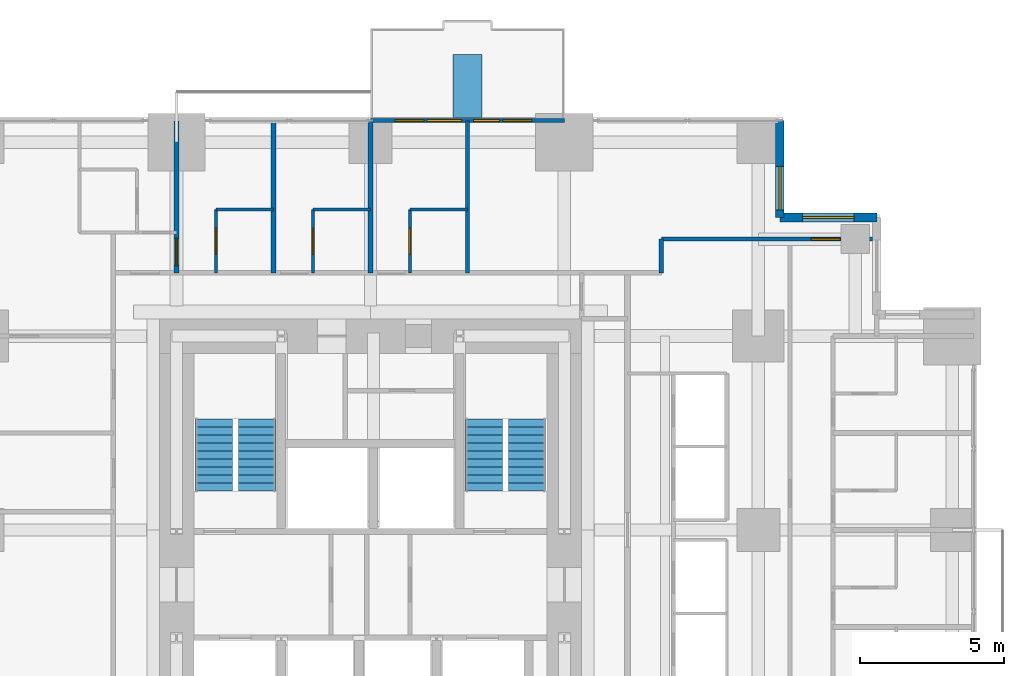
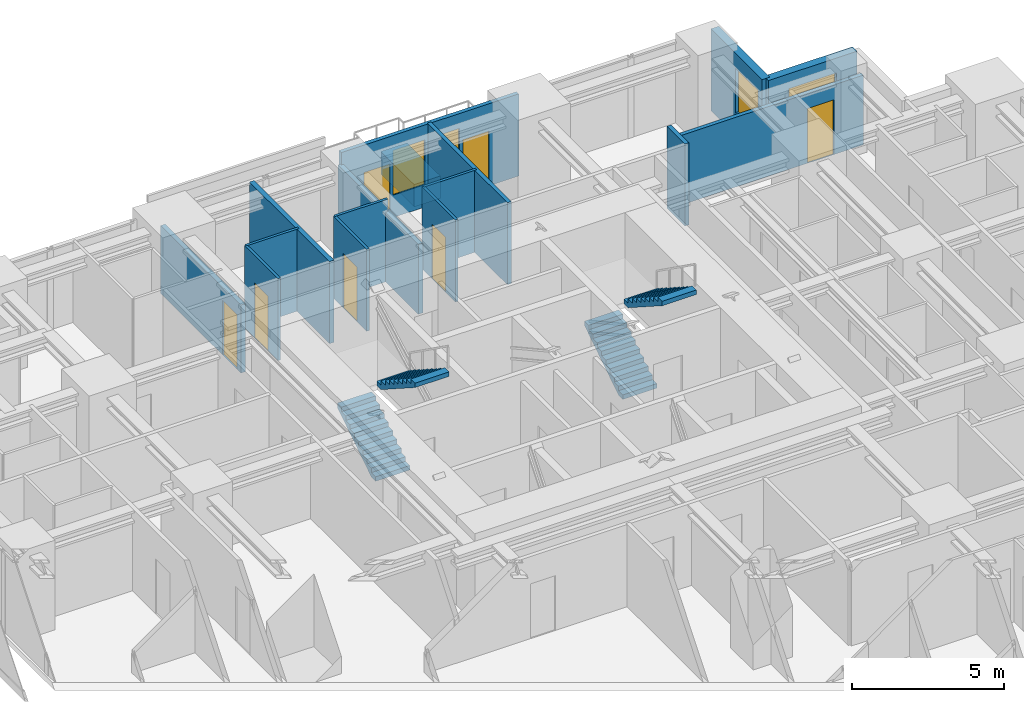
# One storey, part 11 of 12: 16 walls, 7 doors, 4 stair flights, 4 windows, 11 openings, 2 elements without a shape of their own.
"""IFC4 building model written with IfcOpenShell, lengths in metres."""

from ifc_helpers import new_model, si_unit, direction, frame, frame_2d, origin, place, context, subcontext, project, spatial, polyline, rectangle, outline, extrude, material, layer, layer_set, type_object, element, fill, aggregate, save


model = new_model("IFC4")

# Units and contexts
model_context = context("Model", 3, precision=1e-05, world=origin(), true_north=direction((0.0, 1.0)))
body_context = subcontext(model_context, "Body", "Model", "MODEL_VIEW")
ifc_project = project(units=[si_unit("LENGTHUNIT", "METRE"), si_unit("AREAUNIT", "SQUARE_METRE"), si_unit("VOLUMEUNIT", "CUBIC_METRE"), si_unit("PLANEANGLEUNIT", "RADIAN"), si_unit("MASSUNIT", "GRAM", prefix="KILO")], contexts=[model_context])

# Site, building, storey
site_placement = place(None, origin())
site = spatial("IfcSite", under=ifc_project, at=site_placement, CompositionType="ELEMENT")
building_placement = place(site_placement, origin())
building = spatial("IfcBuilding", under=site, at=building_placement, Name="Nyansa Garden Tower", CompositionType="ELEMENT")
storey_placement = place(building_placement, frame((0.0, 0.0, 134.10009765625)))
storey = spatial("IfcBuildingStorey", under=building, at=storey_placement, Name="L36", CompositionType="ELEMENT", Elevation=134.10009765625)

# Wall, opening, door
ifc_material_1 = material(Name="Dense blockwork, plastered both sides, 55 dB", Category="masonry")
ifc_layer_1 = layer(ifc_material_1, 0.175048828125)
ifc_layer_set_1 = layer_set([ifc_layer_1], Name="Acoustic party wall PW175")
wall_type_1 = type_object("IfcWallType", Name="Acoustic party wall PW175", PredefinedType="PARTITIONING", material=ifc_layer_set_1)
wall_1_placement = place(storey_placement, frame((13.5, 29.199951171875, 0.0), z_axis=(0.0, 0.0, 1.0), x_axis=(0.0, 1.0, 0.0)))
wall_1 = element("IfcWall", 1, at=wall_1_placement, inside=storey, type_object=wall_type_1, Name="Party wall", PredefinedType="PARTITIONING", context=body_context, shape_type="SweptSolid", body=[
    extrude(rectangle(XDim=5.283935546875, YDim=0.175048828125, at=frame_2d((2.64208984375, 0.0))), origin(), (0.0, 0.0, 1.0), 2.73095703125),
])
opening_1_placement = place(wall_1_placement, frame((0.25, 0.0, 0.0)))
opening_1 = element("IfcOpeningElement", 2, at=opening_1_placement, cuts=wall_1, Name="Opening D14", PredefinedType="OPENING", context=body_context, shape_type="SweptSolid", body=[
    extrude(rectangle(XDim=0.949951171875, YDim=2.199951171875, at=frame_2d((0.47509765625, 1.10009765625))), frame((0.0, 0.097412109375, 0.0), z_axis=(0.0, -1.0, 0.0), x_axis=(1.0, 0.0, 0.0)), (0.0, 0.0, 1.0), 0.195068359375),
])
ifc_material_2 = material(Name="Timber flush door, 60 minute fire resisting, self-closing", Category="wood")
door_type_1 = type_object("IfcDoorType", Name="Studio entrance door D14 950x2200", OperationType="SINGLE_SWING_LEFT", PredefinedType="DOOR", material=ifc_material_2)
door_1_placement = place(opening_1_placement, origin())
door_1 = element("IfcDoor", 3, at=door_1_placement, inside=storey, type_object=door_type_1, Name="Door L36-047", OperationType="SINGLE_SWING_LEFT", OverallHeight=2.199951171875, OverallWidth=0.949951171875, PredefinedType="DOOR", context=body_context, shape_type="SweptSolid", body=[
    extrude(rectangle(XDim=0.949951171875, YDim=2.199951171875, at=frame_2d((0.47509765625, 1.10009765625))), frame((0.0, 0.02490234375, 0.0), z_axis=(0.0, -1.0, 0.0), x_axis=(1.0, 0.0, 0.0)), (0.0, 0.0, 1.0), 0.050048828125),
])
fill(opening_1, door_1)

# Walls
wall_2_placement = place(storey_placement, frame((16.875, 29.199951171875, 0.0), z_axis=(0.0, 0.0, 1.0), x_axis=(0.0, 1.0, 0.0)))
element("IfcWall", 4, at=wall_2_placement, inside=storey, type_object=wall_type_1, Name="Party wall", PredefinedType="PARTITIONING", context=body_context, shape_type="SweptSolid", body=[
    extrude(rectangle(XDim=5.283935546875, YDim=0.175048828125, at=frame_2d((2.64208984375, 0.0))), origin(), (0.0, 0.0, 1.0), 3.2998046875),
])
wall_3_placement = place(storey_placement, frame((20.25, 29.199951171875, 0.0), z_axis=(0.0, 0.0, 1.0), x_axis=(0.0, 1.0, 0.0)))
element("IfcWall", 5, at=wall_3_placement, inside=storey, type_object=wall_type_1, Name="Party wall", PredefinedType="PARTITIONING", context=body_context, shape_type="SweptSolid", body=[
    extrude(rectangle(XDim=5.283935546875, YDim=0.175048828125, at=frame_2d((2.64208984375, 0.0))), origin(), (0.0, 0.0, 1.0), 2.802001953125),
])

# Wall, openings, doors, windows
ifc_material_3 = material(Name="Black aluminium framed glazed screen", Category="aluminium")
ifc_layer_2 = layer(ifc_material_3, 0.14990234375)
ifc_layer_set_2 = layer_set([ifc_layer_2], Name="Balcony screen wall BW150")
wall_type_2 = type_object("IfcWallType", Name="Balcony screen wall BW150", PredefinedType="SOLIDWALL", material=ifc_layer_set_2)
wall_4_placement = place(storey_placement, frame((20.25, 34.5, 0.0), z_axis=(0.0, 0.0, 1.0), x_axis=(1.0, 0.0, 0.0)))
wall_4 = element("IfcWall", 6, at=wall_4_placement, inside=storey, type_object=wall_type_2, Name="Glazed screen wall L36 N", PredefinedType="SOLIDWALL", context=body_context, shape_type="SweptSolid", body=[
    extrude(rectangle(XDim=6.75, YDim=0.14990234375, at=frame_2d((3.375, 0.0))), origin(), (0.0, 0.0, 1.0), 3.2998046875),
])
opening_2_placement = place(wall_4_placement, frame((0.862548828125, 0.0, 0.0)))
opening_2 = element("IfcOpeningElement", 7, at=opening_2_placement, cuts=wall_4, Name="Opening D20", PredefinedType="OPENING", context=body_context, shape_type="SweptSolid", body=[
    extrude(rectangle(XDim=1.0, YDim=2.199951171875, at=frame_2d((0.5, 1.10009765625))), frame((0.0, 0.0849609375, 0.0), z_axis=(0.0, -1.0, 0.0), x_axis=(1.0, 0.0, 0.0)), (0.0, 0.0, 1.0), 0.169921875),
])
opening_3_placement = place(wall_4_placement, frame((1.97509765625, 0.0, 0.89990234375)))
opening_3 = element("IfcOpeningElement", 8, at=opening_3_placement, cuts=wall_4, Name="Opening W6", PredefinedType="OPENING", context=body_context, shape_type="SweptSolid", body=[
    extrude(rectangle(XDim=1.199951171875, YDim=1.800048828125, at=frame_2d((0.60009765625, 0.89990234375))), frame((0.0, 0.0849609375, 0.0), z_axis=(0.0, -1.0, 0.0), x_axis=(1.0, 0.0, 0.0)), (0.0, 0.0, 1.0), 0.169921875),
])
opening_4_placement = place(wall_4_placement, frame((4.620849609375, 0.0, 0.0)))
opening_4 = element("IfcOpeningElement", 9, at=opening_4_placement, cuts=wall_4, Name="Opening D20", PredefinedType="OPENING", context=body_context, shape_type="SweptSolid", body=[
    extrude(rectangle(XDim=1.0, YDim=2.199951171875, at=frame_2d((0.5, 1.10009765625))), frame((0.0, 0.0849609375, 0.0), z_axis=(0.0, -1.0, 0.0), x_axis=(1.0, 0.0, 0.0)), (0.0, 0.0, 1.0), 0.169921875),
])
opening_5_placement = place(wall_4_placement, frame((3.591552734375, 0.0, 0.89990234375)))
opening_5 = element("IfcOpeningElement", 10, at=opening_5_placement, cuts=wall_4, Name="Opening W7", PredefinedType="OPENING", context=body_context, shape_type="SweptSolid", body=[
    extrude(rectangle(XDim=0.89990234375, YDim=1.800048828125, at=frame_2d((0.449951171875, 0.89990234375))), frame((0.0, 0.0849609375, 0.0), z_axis=(0.0, -1.0, 0.0), x_axis=(1.0, 0.0, 0.0)), (0.0, 0.0, 1.0), 0.169921875),
])
ifc_material_4 = material(Name="Black aluminium framed glazed door", Category="aluminium")
door_type_2 = type_object("IfcDoorType", Name="Balcony door D20 1000x2200", OperationType="NOTDEFINED", PredefinedType="DOOR", material=ifc_material_4)
door_2_placement = place(opening_2_placement, origin())
door_2 = element("IfcDoor", 11, at=door_2_placement, inside=storey, type_object=door_type_2, Name="Balcony door L36", OperationType="SINGLE_SWING_LEFT", OverallHeight=2.199951171875, OverallWidth=1.0, PredefinedType="DOOR", context=body_context, shape_type="SweptSolid", body=[
    extrude(rectangle(XDim=1.0, YDim=2.199951171875, at=frame_2d((0.5, 1.10009765625))), frame((0.0, 0.02490234375, 0.0), z_axis=(0.0, -1.0, 0.0), x_axis=(1.0, 0.0, 0.0)), (0.0, 0.0, 1.0), 0.050048828125),
])
fill(opening_2, door_2)
door_3_placement = place(opening_4_placement, origin())
door_3 = element("IfcDoor", 12, at=door_3_placement, inside=storey, type_object=door_type_2, Name="Balcony door L36", OperationType="SINGLE_SWING_RIGHT", OverallHeight=2.199951171875, OverallWidth=1.0, PredefinedType="DOOR", context=body_context, shape_type="SweptSolid", body=[
    extrude(rectangle(XDim=1.0, YDim=2.199951171875, at=frame_2d((0.5, 1.10009765625))), frame((0.0, 0.02490234375, 0.0), z_axis=(0.0, -1.0, 0.0), x_axis=(1.0, 0.0, 0.0)), (0.0, 0.0, 1.0), 0.050048828125),
])
fill(opening_4, door_3)
ifc_material_5 = material(Name="Black aluminium frame, dark tinted double glazing", Category="aluminium")
window_type_1 = type_object("IfcWindowType", Name="Balcony window W6 1200x1800", PartitioningType="SINGLE_PANEL", PredefinedType="WINDOW", material=ifc_material_5)
window_1_placement = place(opening_3_placement, origin())
window_1 = element("IfcWindow", 13, at=window_1_placement, inside=storey, type_object=window_type_1, Name="Window L36", OverallHeight=1.800048828125, OverallWidth=1.199951171875, PartitioningType="SINGLE_PANEL", PredefinedType="WINDOW", context=body_context, shape_type="SweptSolid", body=[
    extrude(rectangle(XDim=1.199951171875, YDim=1.800048828125, at=frame_2d((0.60009765625, 0.89990234375))), frame((0.0, 0.030029296875, 0.0), z_axis=(0.0, -1.0, 0.0), x_axis=(1.0, 0.0, 0.0)), (0.0, 0.0, 1.0), 0.06005859375),
])
fill(opening_3, window_1)
ifc_material_6 = material(Name="Black aluminium frame, dark tinted double glazing", Category="aluminium")
window_type_2 = type_object("IfcWindowType", Name="Balcony window W7 900x1800", PartitioningType="SINGLE_PANEL", PredefinedType="WINDOW", material=ifc_material_6)
window_2_placement = place(opening_5_placement, origin())
window_2 = element("IfcWindow", 14, at=window_2_placement, inside=storey, type_object=window_type_2, Name="Window L36", OverallHeight=1.800048828125, OverallWidth=0.89990234375, PartitioningType="SINGLE_PANEL", PredefinedType="WINDOW", context=body_context, shape_type="SweptSolid", body=[
    extrude(rectangle(XDim=0.89990234375, YDim=1.800048828125, at=frame_2d((0.449951171875, 0.89990234375))), frame((0.0, 0.030029296875, 0.0), z_axis=(0.0, -1.0, 0.0), x_axis=(1.0, 0.0, 0.0)), (0.0, 0.0, 1.0), 0.06005859375),
])
fill(opening_5, window_2)

# Walls
ifc_material_7 = material(Name="Blockwork, plastered both sides", Category="masonry")
ifc_layer_3 = layer(ifc_material_7, 0.14990234375)
ifc_layer_set_3 = layer_set([ifc_layer_3], Name="Partition PW150")
wall_type_3 = type_object("IfcWallType", Name="Partition PW150", PredefinedType="PARTITIONING", material=ifc_layer_set_3)
wall_5_placement = place(storey_placement, frame((23.625, 29.199951171875, 0.0), z_axis=(0.0, 0.0, 1.0), x_axis=(0.0, 1.0, 0.0)))
element("IfcWall", 15, at=wall_5_placement, inside=storey, type_object=wall_type_3, Name="Partition", PredefinedType="PARTITIONING", context=body_context, shape_type="SweptSolid", body=[
    extrude(rectangle(XDim=5.283935546875, YDim=0.14990234375, at=frame_2d((2.64208984375, 0.0))), origin(), (0.0, 0.0, 1.0), 3.2998046875),
])
wall_6_placement = place(storey_placement, frame((30.375, 29.199951171875, 0.0), z_axis=(0.0, 0.0, 1.0), x_axis=(0.0, 1.0, 0.0)))
element("IfcWall", 16, at=wall_6_placement, inside=storey, type_object=wall_type_3, Name="Partition", PredefinedType="PARTITIONING", context=body_context, shape_type="SweptSolid", body=[
    extrude(rectangle(XDim=1.175048828125, YDim=0.14990234375, at=frame_2d((0.58740234375, 0.0))), origin(), (0.0, 0.0, 1.0), 3.2998046875),
])

# Wall, opening, door
wall_7_placement = place(storey_placement, frame((30.375, 30.375, 0.0), z_axis=(0.0, 0.0, 1.0), x_axis=(1.0, 0.0, 0.0)))
wall_7 = element("IfcWall", 17, at=wall_7_placement, inside=storey, type_object=wall_type_3, Name="Partition", PredefinedType="PARTITIONING", context=body_context, shape_type="SweptSolid", body=[
    extrude(rectangle(XDim=7.35009765625, YDim=0.14990234375, at=frame_2d((3.675048828125, 0.0))), origin(), (0.0, 0.0, 1.0), 2.802001953125),
])
opening_6_placement = place(wall_7_placement, frame((5.22509765625, 0.0, 0.0)))
opening_6 = element("IfcOpeningElement", 18, at=opening_6_placement, cuts=wall_7, Name="Opening D03", PredefinedType="OPENING", context=body_context, shape_type="SweptSolid", body=[
    extrude(rectangle(XDim=1.0, YDim=2.199951171875, at=frame_2d((0.5, 1.10009765625))), frame((0.0, 0.0849609375, 0.0), z_axis=(0.0, -1.0, 0.0), x_axis=(1.0, 0.0, 0.0)), (0.0, 0.0, 1.0), 0.169921875),
])
ifc_material_8 = material(Name="Timber flush door, 60 minute fire resisting", Category="wood")
door_type_3 = type_object("IfcDoorType", Name="Cluster entrance door D03 1000x2200", OperationType="SINGLE_SWING_LEFT", PredefinedType="DOOR", material=ifc_material_8)
door_4_placement = place(opening_6_placement, origin())
door_4 = element("IfcDoor", 19, at=door_4_placement, inside=storey, type_object=door_type_3, Name="Door L36-044", OperationType="SINGLE_SWING_LEFT", OverallHeight=2.199951171875, OverallWidth=1.0, PredefinedType="DOOR", context=body_context, shape_type="SweptSolid", body=[
    extrude(rectangle(XDim=1.0, YDim=2.199951171875, at=frame_2d((0.5, 1.10009765625))), frame((0.0, 0.02490234375, 0.0), z_axis=(0.0, -1.0, 0.0), x_axis=(1.0, 0.0, 0.0)), (0.0, 0.0, 1.0), 0.050048828125),
])
fill(opening_6, door_4)

# Wall, opening, window
ifc_material_9 = material(Name="Turquoise glazed tile on concrete blockwork", Category="masonry")
ifc_layer_4 = layer(ifc_material_9, 0.300048828125)
ifc_layer_set_4 = layer_set([ifc_layer_4], Name="Tiled corner wall TW300")
wall_type_4 = type_object("IfcWallType", Name="Tiled corner wall TW300", PredefinedType="SOLIDWALL", material=ifc_layer_set_4)
wall_8_placement = place(storey_placement, frame((37.875, 31.125, 0.0), z_axis=(0.0, 0.0, 1.0), x_axis=(-1.0, 0.0, 0.0)))
wall_8 = element("IfcWall", 20, at=wall_8_placement, inside=storey, type_object=wall_type_4, Name="Tiled corner wall L36", PredefinedType="SOLIDWALL", context=body_context, shape_type="SweptSolid", body=[
    extrude(rectangle(XDim=3.375, YDim=0.300048828125, at=frame_2d((1.6875, 0.0))), origin(), (0.0, 0.0, 1.0), 3.2998046875),
])
opening_7_placement = place(wall_8_placement, frame((0.78759765625, 0.0, 0.60009765625)))
opening_7 = element("IfcOpeningElement", 21, at=opening_7_placement, cuts=wall_8, Name="Opening W2", PredefinedType="OPENING", context=body_context, shape_type="SweptSolid", body=[
    extrude(rectangle(XDim=1.800048828125, YDim=2.10009765625, at=frame_2d((0.89990234375, 1.050048828125))), frame((0.0, 0.159912109375, 0.0), z_axis=(0.0, -1.0, 0.0), x_axis=(1.0, 0.0, 0.0)), (0.0, 0.0, 1.0), 0.320068359375),
])
ifc_material_10 = material(Name="Black aluminium frame, dark tinted double glazing", Category="aluminium")
window_type_3 = type_object("IfcWindowType", Name="Window W2 1800x2100", PartitioningType="SINGLE_PANEL", PredefinedType="WINDOW", material=ifc_material_10)
window_3_placement = place(opening_7_placement, origin())
window_3 = element("IfcWindow", 22, at=window_3_placement, inside=storey, type_object=window_type_3, Name="Corner window L36", OverallHeight=2.10009765625, OverallWidth=1.800048828125, PartitioningType="SINGLE_PANEL", PredefinedType="WINDOW", context=body_context, shape_type="SweptSolid", body=[
    extrude(rectangle(XDim=1.800048828125, YDim=2.10009765625, at=frame_2d((0.89990234375, 1.050048828125))), frame((0.0, 0.030029296875, 0.0), z_axis=(0.0, -1.0, 0.0), x_axis=(1.0, 0.0, 0.0)), (0.0, 0.0, 1.0), 0.06005859375),
])
fill(opening_7, window_3)

wall_9_placement = place(storey_placement, frame((34.5, 31.125, 0.0), z_axis=(0.0, 0.0, 1.0), x_axis=(0.0, 1.0, 0.0)))
wall_9 = element("IfcWall", 23, at=wall_9_placement, inside=storey, type_object=wall_type_4, Name="Tiled corner wall L36", PredefinedType="SOLIDWALL", context=body_context, shape_type="SweptSolid", body=[
    extrude(rectangle(XDim=3.375, YDim=0.300048828125, at=frame_2d((1.6875, 0.0))), origin(), (0.0, 0.0, 1.0), 3.2998046875),
])
opening_8_placement = place(wall_9_placement, frame((0.267578125, 0.0, 0.89990234375)))
opening_8 = element("IfcOpeningElement", 24, at=opening_8_placement, cuts=wall_9, Name="Opening W1", PredefinedType="OPENING", context=body_context, shape_type="SweptSolid", body=[
    extrude(rectangle(XDim=1.5, YDim=1.800048828125, at=frame_2d((0.75, 0.89990234375))), frame((0.0, 0.159912109375, 0.0), z_axis=(0.0, -1.0, 0.0), x_axis=(1.0, 0.0, 0.0)), (0.0, 0.0, 1.0), 0.320068359375),
])
ifc_material_11 = material(Name="Black aluminium frame, dark tinted double glazing", Category="aluminium")
window_type_4 = type_object("IfcWindowType", Name="Window W1 1500x1800", PartitioningType="SINGLE_PANEL", PredefinedType="WINDOW", material=ifc_material_11)
window_4_placement = place(opening_8_placement, origin())
window_4 = element("IfcWindow", 25, at=window_4_placement, inside=storey, type_object=window_type_4, Name="Corner window L36", OverallHeight=1.800048828125, OverallWidth=1.5, PartitioningType="SINGLE_PANEL", PredefinedType="WINDOW", context=body_context, shape_type="SweptSolid", body=[
    extrude(rectangle(XDim=1.5, YDim=1.800048828125, at=frame_2d((0.75, 0.89990234375))), frame((0.0, 0.030029296875, 0.0), z_axis=(0.0, -1.0, 0.0), x_axis=(1.0, 0.0, 0.0)), (0.0, 0.0, 1.0), 0.06005859375),
])
fill(opening_8, window_4)

# Wall
ifc_material_12 = material(Name="Concrete C40/50 planter, waterproofed", Category="concrete")
ifc_layer_5 = layer(ifc_material_12, 1.0)
ifc_layer_set_5 = layer_set([ifc_layer_5], Name="Tree planter TP1")
wall_type_5 = type_object("IfcWallType", Name="Tree planter TP1", PredefinedType="USERDEFINED", material=ifc_layer_set_5)
wall_10_placement = place(storey_placement, frame((23.625, 34.60009765625, 0.0), z_axis=(0.0, 0.0, 1.0), x_axis=(0.0, 1.0, 0.0)))
element("IfcWall", 26, at=wall_10_placement, inside=storey, type_object=wall_type_5, Name="Tree planter L36", ObjectType="TREE PLANTER", PredefinedType="USERDEFINED", context=body_context, shape_type="SweptSolid", body=[
    extrude(rectangle(XDim=2.199951171875, YDim=1.0, at=frame_2d((1.10009765625, 0.0))), origin(), (0.0, 0.0, 1.0), 0.89990234375),
])

# Wall, opening, door
ifc_material_13 = material(Name="Moisture resistant board on steel studs, tiled", Category="steel")
ifc_layer_6 = layer(ifc_material_13, 0.10009765625)
ifc_layer_set_6 = layer_set([ifc_layer_6], Name="Wet wall PW100")
wall_type_6 = type_object("IfcWallType", Name="Wet wall PW100", PredefinedType="PARTITIONING", material=ifc_layer_set_6)
wall_11_placement = place(storey_placement, frame((14.875, 29.199951171875, 0.0), z_axis=(0.0, 0.0, 1.0), x_axis=(0.0, 1.0, 0.0)))
wall_11 = element("IfcWall", 27, at=wall_11_placement, inside=storey, type_object=wall_type_6, Name="Wet wall", PredefinedType="PARTITIONING", context=body_context, shape_type="SweptSolid", body=[
    extrude(rectangle(XDim=2.199951171875, YDim=0.10009765625, at=frame_2d((1.10009765625, 0.0))), origin(), (0.0, 0.0, 1.0), 3.2998046875),
])
opening_9_placement = place(wall_11_placement, frame((0.64990234375, 0.0, 0.0)))
opening_9 = element("IfcOpeningElement", 28, at=opening_9_placement, cuts=wall_11, Name="Opening D02", PredefinedType="OPENING", context=body_context, shape_type="SweptSolid", body=[
    extrude(rectangle(XDim=0.89990234375, YDim=2.199951171875, at=frame_2d((0.449951171875, 1.10009765625))), frame((0.0, 0.06005859375, 0.0), z_axis=(0.0, -1.0, 0.0), x_axis=(1.0, 0.0, 0.0)), (0.0, 0.0, 1.0), 0.1201171875),
])
ifc_material_14 = material(Name="Timber flush door", Category="wood")
door_type_4 = type_object("IfcDoorType", Name="En-suite door D02 900x2200", OperationType="SINGLE_SWING_RIGHT", PredefinedType="DOOR", material=ifc_material_14)
door_5_placement = place(opening_9_placement, origin())
door_5 = element("IfcDoor", 29, at=door_5_placement, inside=storey, type_object=door_type_4, Name="Door L36-048", OperationType="SINGLE_SWING_RIGHT", OverallHeight=2.199951171875, OverallWidth=0.89990234375, PredefinedType="DOOR", context=body_context, shape_type="SweptSolid", body=[
    extrude(rectangle(XDim=0.89990234375, YDim=2.199951171875, at=frame_2d((0.449951171875, 1.10009765625))), frame((0.0, 0.02490234375, 0.0), z_axis=(0.0, -1.0, 0.0), x_axis=(1.0, 0.0, 0.0)), (0.0, 0.0, 1.0), 0.050048828125),
])
fill(opening_9, door_5)

# Wall
wall_12_placement = place(storey_placement, frame((14.875, 31.39990234375, 0.0), z_axis=(0.0, 0.0, 1.0), x_axis=(1.0, 0.0, 0.0)))
element("IfcWall", 30, at=wall_12_placement, inside=storey, type_object=wall_type_6, Name="Wet wall", PredefinedType="PARTITIONING", context=body_context, shape_type="SweptSolid", body=[
    extrude(rectangle(XDim=2.0, YDim=0.10009765625, at=frame_2d((1.0, 0.0))), origin(), (0.0, 0.0, 1.0), 3.2998046875),
])

# Wall, opening, door
wall_13_placement = place(storey_placement, frame((18.25, 29.199951171875, 0.0), z_axis=(0.0, 0.0, 1.0), x_axis=(0.0, 1.0, 0.0)))
wall_13 = element("IfcWall", 31, at=wall_13_placement, inside=storey, type_object=wall_type_6, Name="Wet wall", PredefinedType="PARTITIONING", context=body_context, shape_type="SweptSolid", body=[
    extrude(rectangle(XDim=2.199951171875, YDim=0.10009765625, at=frame_2d((1.10009765625, 0.0))), origin(), (0.0, 0.0, 1.0), 3.2998046875),
])
opening_10_placement = place(wall_13_placement, frame((0.64990234375, 0.0, 0.0)))
opening_10 = element("IfcOpeningElement", 32, at=opening_10_placement, cuts=wall_13, Name="Opening D02", PredefinedType="OPENING", context=body_context, shape_type="SweptSolid", body=[
    extrude(rectangle(XDim=0.89990234375, YDim=2.199951171875, at=frame_2d((0.449951171875, 1.10009765625))), frame((0.0, 0.06005859375, 0.0), z_axis=(0.0, -1.0, 0.0), x_axis=(1.0, 0.0, 0.0)), (0.0, 0.0, 1.0), 0.1201171875),
])
door_6_placement = place(opening_10_placement, origin())
door_6 = element("IfcDoor", 33, at=door_6_placement, inside=storey, type_object=door_type_4, Name="Door L36-050", OperationType="SINGLE_SWING_RIGHT", OverallHeight=2.199951171875, OverallWidth=0.89990234375, PredefinedType="DOOR", context=body_context, shape_type="SweptSolid", body=[
    extrude(rectangle(XDim=0.89990234375, YDim=2.199951171875, at=frame_2d((0.449951171875, 1.10009765625))), frame((0.0, 0.02490234375, 0.0), z_axis=(0.0, -1.0, 0.0), x_axis=(1.0, 0.0, 0.0)), (0.0, 0.0, 1.0), 0.050048828125),
])
fill(opening_10, door_6)

# Wall
wall_14_placement = place(storey_placement, frame((18.25, 31.39990234375, 0.0), z_axis=(0.0, 0.0, 1.0), x_axis=(1.0, 0.0, 0.0)))
element("IfcWall", 34, at=wall_14_placement, inside=storey, type_object=wall_type_6, Name="Wet wall", PredefinedType="PARTITIONING", context=body_context, shape_type="SweptSolid", body=[
    extrude(rectangle(XDim=2.0, YDim=0.10009765625, at=frame_2d((1.0, 0.0))), origin(), (0.0, 0.0, 1.0), 3.2998046875),
])

# Wall, opening, door
wall_15_placement = place(storey_placement, frame((21.625, 29.199951171875, 0.0), z_axis=(0.0, 0.0, 1.0), x_axis=(0.0, 1.0, 0.0)))
wall_15 = element("IfcWall", 35, at=wall_15_placement, inside=storey, type_object=wall_type_6, Name="Wet wall", PredefinedType="PARTITIONING", context=body_context, shape_type="SweptSolid", body=[
    extrude(rectangle(XDim=2.199951171875, YDim=0.10009765625, at=frame_2d((1.10009765625, 0.0))), origin(), (0.0, 0.0, 1.0), 3.2998046875),
])
opening_11_placement = place(wall_15_placement, frame((0.64990234375, 0.0, 0.0)))
opening_11 = element("IfcOpeningElement", 36, at=opening_11_placement, cuts=wall_15, Name="Opening D02", PredefinedType="OPENING", context=body_context, shape_type="SweptSolid", body=[
    extrude(rectangle(XDim=0.89990234375, YDim=2.199951171875, at=frame_2d((0.449951171875, 1.10009765625))), frame((0.0, 0.06005859375, 0.0), z_axis=(0.0, -1.0, 0.0), x_axis=(1.0, 0.0, 0.0)), (0.0, 0.0, 1.0), 0.1201171875),
])
door_7_placement = place(opening_11_placement, origin())
door_7 = element("IfcDoor", 37, at=door_7_placement, inside=storey, type_object=door_type_4, Name="Door L36-052", OperationType="SINGLE_SWING_RIGHT", OverallHeight=2.199951171875, OverallWidth=0.89990234375, PredefinedType="DOOR", context=body_context, shape_type="SweptSolid", body=[
    extrude(rectangle(XDim=0.89990234375, YDim=2.199951171875, at=frame_2d((0.449951171875, 1.10009765625))), frame((0.0, 0.02490234375, 0.0), z_axis=(0.0, -1.0, 0.0), x_axis=(1.0, 0.0, 0.0)), (0.0, 0.0, 1.0), 0.050048828125),
])
fill(opening_11, door_7)

# Wall
wall_16_placement = place(storey_placement, frame((21.625, 31.39990234375, 0.0), z_axis=(0.0, 0.0, 1.0), x_axis=(1.0, 0.0, 0.0)))
element("IfcWall", 38, at=wall_16_placement, inside=storey, type_object=wall_type_6, Name="Wet wall", PredefinedType="PARTITIONING", context=body_context, shape_type="SweptSolid", body=[
    extrude(rectangle(XDim=2.0, YDim=0.10009765625, at=frame_2d((1.0, 0.0))), origin(), (0.0, 0.0, 1.0), 3.2998046875),
])

# Stair, stair flights
ifc_material_15 = material(Name="Precast concrete C40/50", Category="concrete")
stair_type_1 = type_object("IfcStairType", Name="Stair S1 180x280", PredefinedType="HALF_TURN_STAIR", material=ifc_material_15)
stair_1_placement = place(storey_placement, origin())
stair_1 = element("IfcStair", 39, at=stair_1_placement, inside=storey, type_object=stair_type_1, Name="Stair S1 L36", PredefinedType="HALF_TURN_STAIR")
ifc_material_16 = material(Name="Precast concrete C40/50", Category="concrete")
stair_flight_type_1 = type_object("IfcStairFlightType", Name="Stair flight S1 180x280x10", PredefinedType="STRAIGHT", material=ifc_material_16)
stair_flight_1_placement = place(storey_placement, frame((14.800048828125, 21.60009765625, 0.0), z_axis=(0.0, 0.0, 1.0), x_axis=(0.0, 1.0, 0.0)))
stair_flight_1 = element("IfcStairFlight", 40, at=stair_flight_1_placement, type_object=stair_flight_type_1, Name="S1 flight 1", NumberOfRisers=10, NumberOfTreads=9, PredefinedType="STRAIGHT", RiserHeight=0.18, TreadLength=0.28, context=body_context, shape_type="SweptSolid", body=[
    extrude(outline(polyline([(0.0, 0.0), (0.0, 0.179931640625), (0.280029296875, 0.179931640625), (0.280029296875, 0.360107421875), (0.56005859375, 0.360107421875), (0.56005859375, 0.5400390625), (0.840087890625, 0.5400390625), (0.840087890625, 0.719970703125), (1.1201171875, 0.719970703125), (1.1201171875, 0.89990234375), (1.39990234375, 0.89990234375), (1.39990234375, 1.080078125), (1.679931640625, 1.080078125), (1.679931640625, 1.260009765625), (1.9599609375, 1.260009765625), (1.9599609375, 1.43994140625), (2.239990234375, 1.43994140625), (2.239990234375, 1.6201171875), (2.52001953125, 1.6201171875), (2.52001953125, 1.800048828125), (2.52001953125, 1.44189453125), (0.277099609375, 0.0), (0.0, 0.0)])), frame((0.0, 0.64990234375, 0.0), z_axis=(0.0, -1.0, 0.0), x_axis=(1.0, 0.0, 0.0)), (0.0, 0.0, 1.0), 1.300048828125),
])
stair_flight_2_placement = place(storey_placement, frame((16.300048828125, 24.1201171875, 1.7998046875), z_axis=(0.0, 0.0, 1.0), x_axis=(0.0, -1.0, 0.0)))
stair_flight_2 = element("IfcStairFlight", 41, at=stair_flight_2_placement, type_object=stair_flight_type_1, Name="S1 flight 2", NumberOfRisers=10, NumberOfTreads=9, PredefinedType="STRAIGHT", RiserHeight=0.18, TreadLength=0.28, context=body_context, shape_type="SweptSolid", body=[
    extrude(outline(polyline([(0.0, 0.0), (0.0, 0.179931640625), (0.280029296875, 0.179931640625), (0.280029296875, 0.360107421875), (0.56005859375, 0.360107421875), (0.56005859375, 0.5400390625), (0.840087890625, 0.5400390625), (0.840087890625, 0.719970703125), (1.1201171875, 0.719970703125), (1.1201171875, 0.89990234375), (1.39990234375, 0.89990234375), (1.39990234375, 1.080078125), (1.679931640625, 1.080078125), (1.679931640625, 1.260009765625), (1.9599609375, 1.260009765625), (1.9599609375, 1.43994140625), (2.239990234375, 1.43994140625), (2.239990234375, 1.6201171875), (2.52001953125, 1.6201171875), (2.52001953125, 1.800048828125), (2.52001953125, 1.44189453125), (0.277099609375, 0.0), (0.0, 0.0)])), frame((0.0, 0.64990234375, 0.0), z_axis=(0.0, -1.0, 0.0), x_axis=(1.0, 0.0, 0.0)), (0.0, 0.0, 1.0), 1.300048828125),
])
aggregate(stair_1, [stair_flight_1, stair_flight_2])

ifc_material_17 = material(Name="Precast concrete C40/50", Category="concrete")
stair_type_2 = type_object("IfcStairType", Name="Stair S2 180x280", PredefinedType="HALF_TURN_STAIR", material=ifc_material_17)
stair_2_placement = place(storey_placement, origin())
stair_2 = element("IfcStair", 42, at=stair_2_placement, inside=storey, type_object=stair_type_2, Name="Stair S2 L36", PredefinedType="HALF_TURN_STAIR")
ifc_material_18 = material(Name="Precast concrete C40/50", Category="concrete")
stair_flight_type_2 = type_object("IfcStairFlightType", Name="Stair flight S2 180x280x10", PredefinedType="STRAIGHT", material=ifc_material_18)
stair_flight_3_placement = place(storey_placement, frame((24.199951171875, 21.60009765625, 0.0), z_axis=(0.0, 0.0, 1.0), x_axis=(0.0, 1.0, 0.0)))
stair_flight_3 = element("IfcStairFlight", 43, at=stair_flight_3_placement, type_object=stair_flight_type_2, Name="S2 flight 1", NumberOfRisers=10, NumberOfTreads=9, PredefinedType="STRAIGHT", RiserHeight=0.18, TreadLength=0.28, context=body_context, shape_type="SweptSolid", body=[
    extrude(outline(polyline([(0.0, 0.0), (0.0, 0.179931640625), (0.280029296875, 0.179931640625), (0.280029296875, 0.360107421875), (0.56005859375, 0.360107421875), (0.56005859375, 0.5400390625), (0.840087890625, 0.5400390625), (0.840087890625, 0.719970703125), (1.1201171875, 0.719970703125), (1.1201171875, 0.89990234375), (1.39990234375, 0.89990234375), (1.39990234375, 1.080078125), (1.679931640625, 1.080078125), (1.679931640625, 1.260009765625), (1.9599609375, 1.260009765625), (1.9599609375, 1.43994140625), (2.239990234375, 1.43994140625), (2.239990234375, 1.6201171875), (2.52001953125, 1.6201171875), (2.52001953125, 1.800048828125), (2.52001953125, 1.44189453125), (0.277099609375, 0.0), (0.0, 0.0)])), frame((0.0, 0.64990234375, 0.0), z_axis=(0.0, -1.0, 0.0), x_axis=(1.0, 0.0, 0.0)), (0.0, 0.0, 1.0), 1.300048828125),
])
stair_flight_4_placement = place(storey_placement, frame((25.699951171875, 24.1201171875, 1.7998046875), z_axis=(0.0, 0.0, 1.0), x_axis=(0.0, -1.0, 0.0)))
stair_flight_4 = element("IfcStairFlight", 44, at=stair_flight_4_placement, type_object=stair_flight_type_2, Name="S2 flight 2", NumberOfRisers=10, NumberOfTreads=9, PredefinedType="STRAIGHT", RiserHeight=0.18, TreadLength=0.28, context=body_context, shape_type="SweptSolid", body=[
    extrude(outline(polyline([(0.0, 0.0), (0.0, 0.179931640625), (0.280029296875, 0.179931640625), (0.280029296875, 0.360107421875), (0.56005859375, 0.360107421875), (0.56005859375, 0.5400390625), (0.840087890625, 0.5400390625), (0.840087890625, 0.719970703125), (1.1201171875, 0.719970703125), (1.1201171875, 0.89990234375), (1.39990234375, 0.89990234375), (1.39990234375, 1.080078125), (1.679931640625, 1.080078125), (1.679931640625, 1.260009765625), (1.9599609375, 1.260009765625), (1.9599609375, 1.43994140625), (2.239990234375, 1.43994140625), (2.239990234375, 1.6201171875), (2.52001953125, 1.6201171875), (2.52001953125, 1.800048828125), (2.52001953125, 1.44189453125), (0.277099609375, 0.0), (0.0, 0.0)])), frame((0.0, 0.64990234375, 0.0), z_axis=(0.0, -1.0, 0.0), x_axis=(1.0, 0.0, 0.0)), (0.0, 0.0, 1.0), 1.300048828125),
])
aggregate(stair_2, [stair_flight_3, stair_flight_4])

save(model, "model.ifc")
